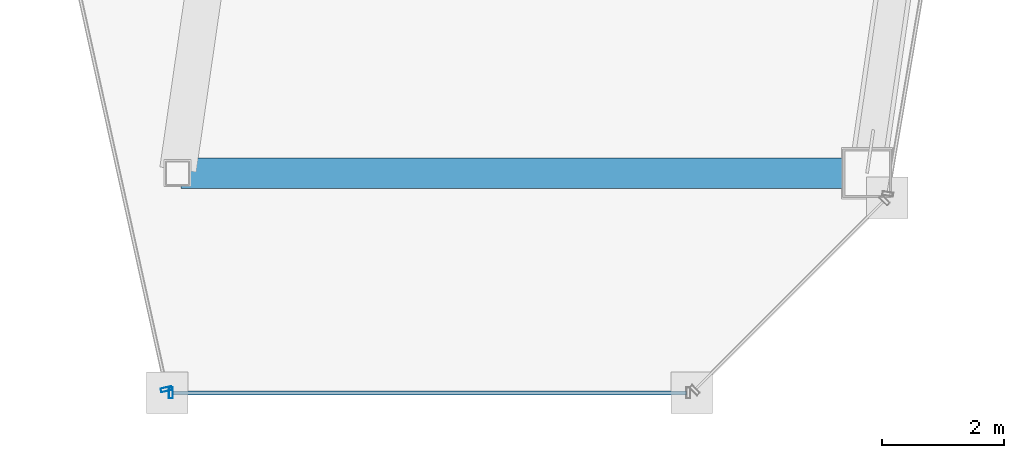
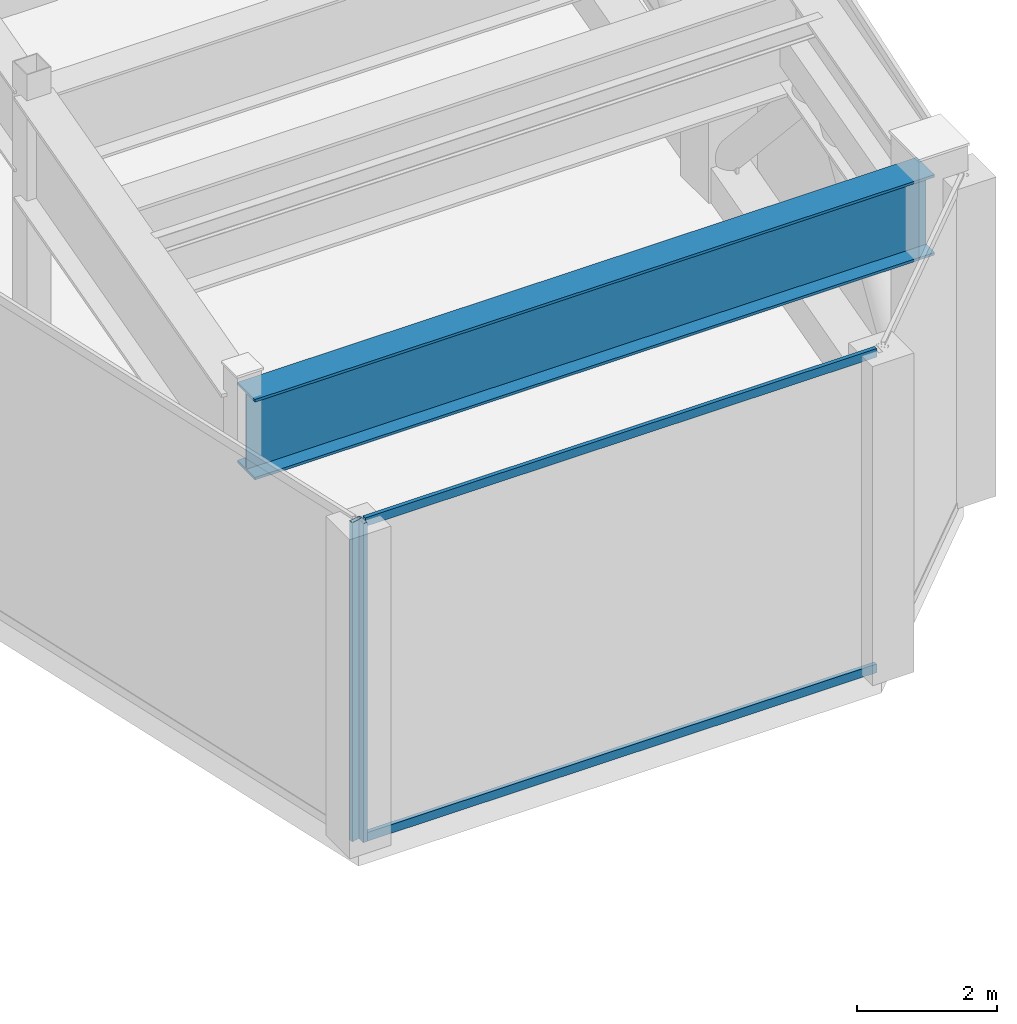
# One storey, part 14 of 34: 4 members, 1 beam, 2 elements without a shape of their own.
"""IFC4 building model written with IfcOpenShell, lengths in metres."""

from ifc_helpers import new_model, si_unit, direction, frame, origin, origin_2d, place, context, subcontext, project, spatial, hollow_rectangle, i_section, extrude, material, material_profile, profile_set, type_object, element, aggregate, save


model = new_model("IFC4")

# Units and contexts
model_context = context("Model", 3, precision=1e-05, world=origin(), true_north=direction((0.0, 1.0)))
body_context = subcontext(model_context, "Body", "Model", "MODEL_VIEW")
ifc_project = project(units=[si_unit("LENGTHUNIT", "METRE"), si_unit("AREAUNIT", "SQUARE_METRE"), si_unit("VOLUMEUNIT", "CUBIC_METRE"), si_unit("PLANEANGLEUNIT", "RADIAN"), si_unit("MASSUNIT", "GRAM", prefix="KILO")], contexts=[model_context])

# Site, building, storey
site_placement = place(None, origin())
site = spatial("IfcSite", under=ifc_project, at=site_placement, CompositionType="ELEMENT")
building_placement = place(site_placement, origin())
building = spatial("IfcBuilding", under=site, at=building_placement, Name="Saevonmaru Cultural Tower", CompositionType="ELEMENT")
storey_placement = place(building_placement, frame((0.0, 0.0, 224.60009765625)))
storey = spatial("IfcBuildingStorey", under=building, at=storey_placement, Name="L52", CompositionType="ELEMENT", Elevation=224.60009765625)

# Beam
ifc_material_1 = material(Name="Steel HSA600 (600 MPa)", Category="steel")
ifc_material_profile_1 = material_profile(ifc_material_1, i_section(OverallWidth=0.5, OverallDepth=1.39990234375, WebThickness=0.02392578125, FlangeThickness=0.044921875, at=origin_2d()), Name="PG-1400x500x24x45")
ifc_profile_set_1 = profile_set([ifc_material_profile_1], Name="Steel HSA600 (600 MPa)")
beam_type = type_object("IfcBeamType", Name="BM-TG-PG1400", PredefinedType="BEAM", material=ifc_profile_set_1)
beam_placement = place(storey_placement, frame((38.132080078125, 16.0, 4.849853515625), z_axis=(1.0, 0.0, 0.0), x_axis=(0.0, 1.0, 0.0)))
element("IfcBeam", 1, at=beam_placement, inside=storey, type_object=beam_type, Name="L52 East Wing Transverse Girder 1", PredefinedType="BEAM", context=body_context, shape_type="SweptSolid", body=[
    extrude(i_section(OverallWidth=0.5, OverallDepth=1.39990234375, WebThickness=0.02392578125, FlangeThickness=0.044921875, at=origin_2d()), origin(), (0.0, 0.0, 1.0), 11.179931640625),
])

# Curtain wall, member
ifc_material_2 = material(Name="Satin Bronze Anodised Aluminium", Category="aluminium")
curtain_wall_type = type_object("IfcCurtainWallType", Name="CW-TYP-B", PredefinedType="NOTDEFINED", material=ifc_material_2)
curtain_wall_1_placement = place(storey_placement, origin())
curtain_wall_1 = element("IfcCurtainWall", 2, at=curtain_wall_1_placement, inside=storey, type_object=curtain_wall_type, Name="L52 Wind-Floor Acoustic Louvre Screen E5", PredefinedType="NOTDEFINED")
ifc_material_profile_2 = material_profile(ifc_material_2, hollow_rectangle(XDim=0.06494140625, YDim=0.179931640625, WallThickness=0.00390625, at=origin_2d()), Name="ALU-MULL-180x65x4")
ifc_profile_set_2 = profile_set([ifc_material_profile_2], Name="Satin Bronze Anodised Aluminium")
member_type_1 = type_object("IfcMemberType", Name="ML-CW-180x65", PredefinedType="MULLION", material=ifc_profile_set_2)
member_1_placement = place(storey_placement, frame((37.889404296875, 12.45849609375, 0.0), z_axis=(0.0, 0.0, 1.0), x_axis=(0.215413319953, -0.976522965212, 0.0)))
member_1 = element("IfcMember", 3, at=member_1_placement, type_object=member_type_1, Name="CW-TW-L52-E5 mullion 2", PredefinedType="MULLION", context=body_context, shape_type="SweptSolid", body=[
    extrude(hollow_rectangle(XDim=0.06494140625, YDim=0.179931640625, WallThickness=0.00390625, at=origin_2d()), origin(), (0.0, 0.0, 1.0), 5.5498046875),
])
aggregate(curtain_wall_1, [member_1])

# Curtain wall, members
curtain_wall_2_placement = place(storey_placement, origin())
curtain_wall_2 = element("IfcCurtainWall", 4, at=curtain_wall_2_placement, inside=storey, type_object=curtain_wall_type, Name="L52 Wind-Floor Acoustic Louvre Screen E6", PredefinedType="NOTDEFINED")
member_2_placement = place(storey_placement, frame((37.962158203125, 12.39990234375, 0.0), z_axis=(0.0, 0.0, 1.0), x_axis=(1.0, 0.0, 0.0)))
member_2 = element("IfcMember", 5, at=member_2_placement, type_object=member_type_1, Name="CW-TW-L52-E6 mullion 1", PredefinedType="MULLION", context=body_context, shape_type="SweptSolid", body=[
    extrude(hollow_rectangle(XDim=0.06494140625, YDim=0.179931640625, WallThickness=0.00390625, at=origin_2d()), origin(), (0.0, 0.0, 1.0), 5.5498046875),
])
ifc_material_profile_3 = material_profile(ifc_material_2, hollow_rectangle(XDim=0.06494140625, YDim=0.14990234375, WallThickness=0.00390625, at=origin_2d()), Name="ALU-TRAN-150x65x4")
ifc_profile_set_3 = profile_set([ifc_material_profile_3], Name="Satin Bronze Anodised Aluminium")
member_type_2 = type_object("IfcMemberType", Name="TR-CW-150x65", PredefinedType="USERDEFINED", material=ifc_profile_set_3)
member_3_placement = place(storey_placement, frame((37.99462890625, 12.39990234375, 0.032470703125), z_axis=(1.0, 0.0, 0.0), x_axis=(0.0, 1.0, 0.0)))
member_3 = element("IfcMember", 6, at=member_3_placement, type_object=member_type_2, Name="CW-TW-L52-E6 transom 1.1", ObjectType="TRANSOM", PredefinedType="USERDEFINED", context=body_context, shape_type="SweptSolid", body=[
    extrude(hollow_rectangle(XDim=0.06494140625, YDim=0.14990234375, WallThickness=0.00390625, at=origin_2d()), origin(), (0.0, 0.0, 1.0), 8.4150390625),
])
member_4_placement = place(storey_placement, frame((37.99462890625, 12.39990234375, 5.517333984375), z_axis=(1.0, 0.0, 0.0), x_axis=(0.0, 1.0, 0.0)))
member_4 = element("IfcMember", 7, at=member_4_placement, type_object=member_type_2, Name="CW-TW-L52-E6 transom 1.2", ObjectType="TRANSOM", PredefinedType="USERDEFINED", context=body_context, shape_type="SweptSolid", body=[
    extrude(hollow_rectangle(XDim=0.06494140625, YDim=0.14990234375, WallThickness=0.00390625, at=origin_2d()), origin(), (0.0, 0.0, 1.0), 8.4150390625),
])
aggregate(curtain_wall_2, [member_2, member_3, member_4])

save(model, "model.ifc")
